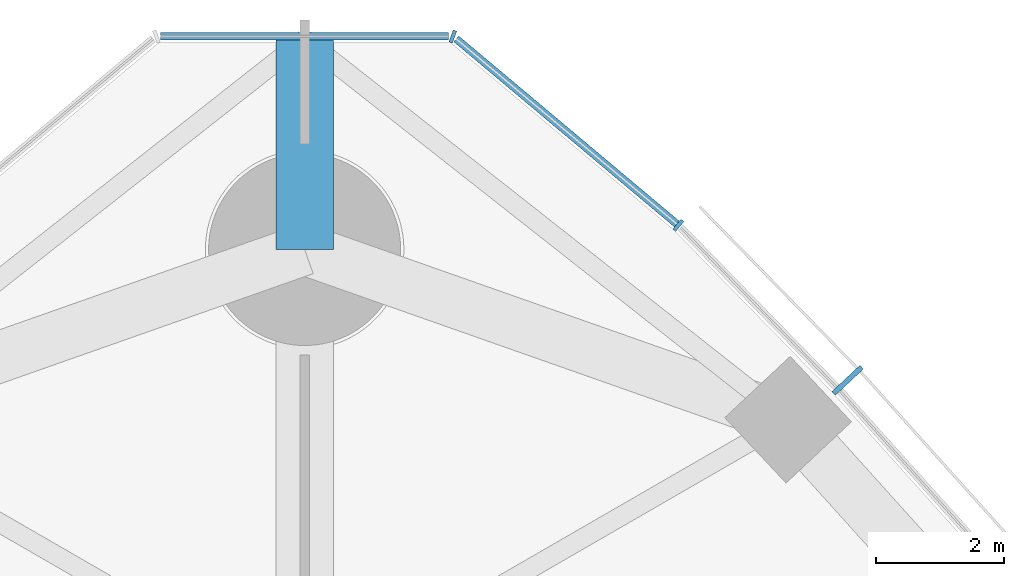
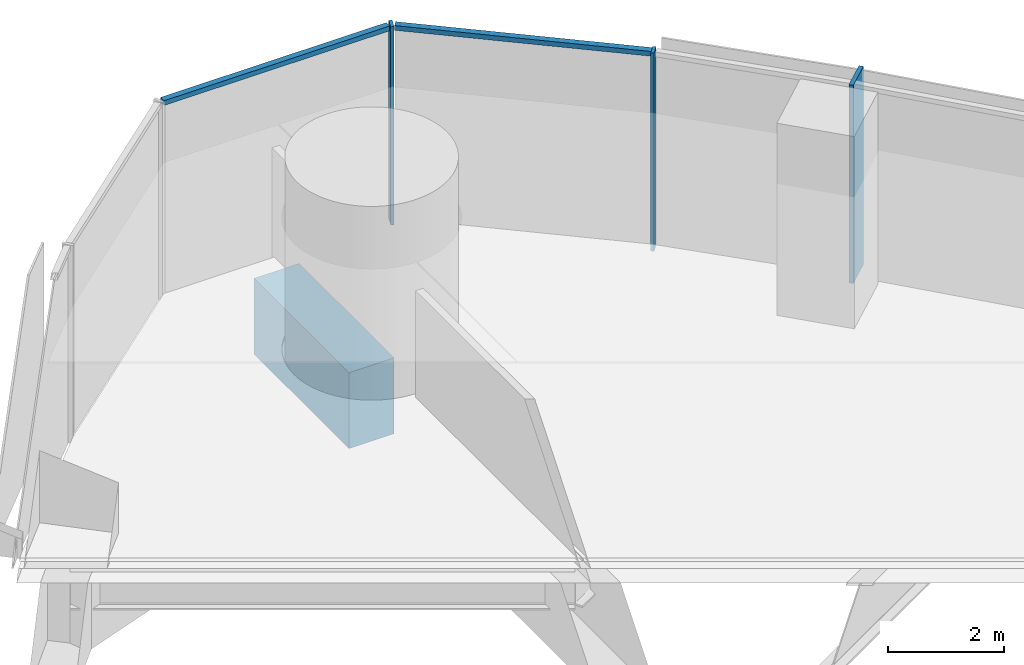
# One storey, part 8 of 18: 5 members, 1 beam, 2 elements without a shape of their own.
"""IFC4 building model written with IfcOpenShell, lengths in metres."""

from ifc_helpers import new_model, si_unit, direction, frame, origin, origin_2d, place, context, subcontext, project, spatial, rectangle, extrude, material, material_profile, profile_set, type_object, element, aggregate, save


model = new_model("IFC4")

# Units and contexts
model_context = context("Model", 3, precision=1e-05, world=origin(), true_north=direction((0.0, 1.0)))
body_context = subcontext(model_context, "Body", "Model", "MODEL_VIEW")
ifc_project = project(units=[si_unit("LENGTHUNIT", "METRE"), si_unit("AREAUNIT", "SQUARE_METRE"), si_unit("VOLUMEUNIT", "CUBIC_METRE"), si_unit("PLANEANGLEUNIT", "RADIAN"), si_unit("MASSUNIT", "GRAM", prefix="KILO")], contexts=[model_context])

# Site, building, storey
site_placement = place(None, origin())
site = spatial("IfcSite", under=ifc_project, at=site_placement, CompositionType="ELEMENT")
building_placement = place(site_placement, origin())
building = spatial("IfcBuilding", under=site, at=building_placement, Name="Trefoil Bronze Tower", CompositionType="ELEMENT")
storey_placement = place(building_placement, frame((0.0, 0.0, 252.699951171875)))
storey = spatial("IfcBuildingStorey", under=building, at=storey_placement, Name="L58", CompositionType="ELEMENT", Elevation=252.699951171875)

# Curtain wall, member
ifc_material_1 = material(Name="Tinted solar-control glass", Category="glass")
curtain_wall_type_1 = type_object("IfcCurtainWallType", Name="Bronze office curtain wall", PredefinedType="USERDEFINED", material=ifc_material_1)
curtain_wall_1_placement = place(storey_placement, origin())
curtain_wall_1 = element("IfcCurtainWall", 1, at=curtain_wall_1_placement, inside=storey, type_object=curtain_wall_type_1, Name="CW-A L58 F2", ObjectType="CURTAIN WALL", PredefinedType="USERDEFINED")
ifc_material_2 = material(Name="Bronze-finish aluminium", Category="aluminium")
ifc_material_profile_1 = material_profile(ifc_material_2, rectangle(XDim=0.60009765625, YDim=0.080078125, at=origin_2d()), Name="CW-A mullion")
ifc_profile_set_1 = profile_set([ifc_material_profile_1], Name="Bronze-finish aluminium")
member_type_1 = type_object("IfcMemberType", Name="Bronze office curtain wall mullion", PredefinedType="MULLION", material=ifc_profile_set_1)
member_1_placement = place(storey_placement, frame((8.482177734375, 30.95654296875, 0.0), z_axis=(0.0, 0.0, 1.0), x_axis=(-0.729859580661, -0.683597098091, 0.0)))
member_1 = element("IfcMember", 2, at=member_1_placement, type_object=member_type_1, Name="CW-A L58 F2 mullion 12", PredefinedType="MULLION", context=body_context, shape_type="SweptSolid", body=[
    extrude(rectangle(XDim=0.60009765625, YDim=0.080078125, at=origin_2d()), origin(), (0.0, 0.0, 1.0), 4.179931640625),
])
aggregate(curtain_wall_1, [member_1])

# Curtain wall, members
ifc_material_3 = material(Name="Tinted solar-control glass", Category="glass")
curtain_wall_type_2 = type_object("IfcCurtainWallType", Name="Bronze rounded corner curtain wall", PredefinedType="USERDEFINED", material=ifc_material_3)
curtain_wall_2_placement = place(storey_placement, origin())
curtain_wall_2 = element("IfcCurtainWall", 3, at=curtain_wall_2_placement, inside=storey, type_object=curtain_wall_type_2, Name="CW-B L58 K2", ObjectType="CURTAIN WALL", PredefinedType="USERDEFINED")
ifc_material_4 = material(Name="Bronze-finish aluminium", Category="aluminium")
ifc_material_profile_2 = material_profile(ifc_material_4, rectangle(XDim=0.199951171875, YDim=0.06005859375, at=origin_2d()), Name="CW-B mullion")
ifc_profile_set_2 = profile_set([ifc_material_profile_2], Name="Bronze-finish aluminium")
member_type_2 = type_object("IfcMemberType", Name="Bronze rounded corner curtain wall mullion", PredefinedType="MULLION", material=ifc_profile_set_2)
member_2_placement = place(storey_placement, frame((5.837890625, 33.3779296875, 0.0), z_axis=(0.0, 0.0, 1.0), x_axis=(-0.642787609687, -0.766044443119, 0.0)))
member_2 = element("IfcMember", 4, at=member_2_placement, type_object=member_type_2, Name="CW-B L58 K2 mullion 1", PredefinedType="MULLION", context=body_context, shape_type="SweptSolid", body=[
    extrude(rectangle(XDim=0.199951171875, YDim=0.06005859375, at=origin_2d()), origin(), (0.0, 0.0, 1.0), 4.179931640625),
])
member_3_placement = place(storey_placement, frame((2.314453125, 36.326416015625, 0.0), z_axis=(0.0, 0.0, 1.0), x_axis=(-0.342020143326, -0.939692620786, 0.0)))
member_3 = element("IfcMember", 5, at=member_3_placement, type_object=member_type_2, Name="CW-B L58 K2 mullion 2", PredefinedType="MULLION", context=body_context, shape_type="SweptSolid", body=[
    extrude(rectangle(XDim=0.199951171875, YDim=0.06005859375, at=origin_2d()), origin(), (0.0, 0.0, 1.0), 4.179931640625),
])
ifc_material_5 = material(Name="Bronze-finish aluminium", Category="aluminium")
ifc_material_profile_3 = material_profile(ifc_material_5, rectangle(XDim=0.1201171875, YDim=0.10009765625, at=origin_2d()), Name="CW-B transom")
ifc_profile_set_3 = profile_set([ifc_material_profile_3], Name="Bronze-finish aluminium")
member_type_3 = type_object("IfcMemberType", Name="Bronze rounded corner curtain wall transom", PredefinedType="USERDEFINED", material=ifc_profile_set_3)
member_4_placement = place(storey_placement, frame((5.814697265625, 33.397216796875, 4.130126953125), z_axis=(-0.766046761698, 0.642784846501, 0.0), x_axis=(-0.642784846501, -0.766046761698, 0.0)))
member_4 = element("IfcMember", 6, at=member_4_placement, type_object=member_type_3, Name="CW-B L58 K2 transom 1", ObjectType="TRANSOM", PredefinedType="USERDEFINED", context=body_context, shape_type="SweptSolid", body=[
    extrude(rectangle(XDim=0.1201171875, YDim=0.10009765625, at=origin_2d()), origin(), (0.0, 0.0, 1.0), 4.5),
])
member_5_placement = place(storey_placement, frame((2.250244140625, 36.33251953125, 4.130126953125), z_axis=(-1.0, 0.0, 0.0), x_axis=(0.0, -1.0, 0.0)))
member_5 = element("IfcMember", 7, at=member_5_placement, type_object=member_type_3, Name="CW-B L58 K2 transom 2", ObjectType="TRANSOM", PredefinedType="USERDEFINED", context=body_context, shape_type="SweptSolid", body=[
    extrude(rectangle(XDim=0.1201171875, YDim=0.10009765625, at=origin_2d()), origin(), (0.0, 0.0, 1.0), 4.50048828125),
])
aggregate(curtain_wall_2, [member_2, member_3, member_4, member_5])

# Beam
ifc_material_6 = material(Name="Concrete B80", Category="concrete")
ifc_material_profile_4 = material_profile(ifc_material_6, rectangle(XDim=0.89990234375, YDim=1.60009765625, at=origin_2d()), Name="RC 900x1600")
ifc_profile_set_4 = profile_set([ifc_material_profile_4], Name="Concrete B80")
beam_type = type_object("IfcBeamType", Name="Corner cantilever RC 900x1600", PredefinedType="BEAM", material=ifc_profile_set_4)
beam_placement = place(storey_placement, frame((0.0, 33.0, -1.0), z_axis=(0.0, 1.0, 0.0), x_axis=(-1.0, 0.0, 0.0)))
element("IfcBeam", 8, at=beam_placement, inside=storey, type_object=beam_type, Name="Corner cantilever K2 L58", PredefinedType="BEAM", context=body_context, shape_type="SweptSolid", body=[
    extrude(rectangle(XDim=0.89990234375, YDim=1.60009765625, at=origin_2d()), origin(), (0.0, 0.0, 1.0), 3.28466796875),
])

save(model, "model.ifc")
